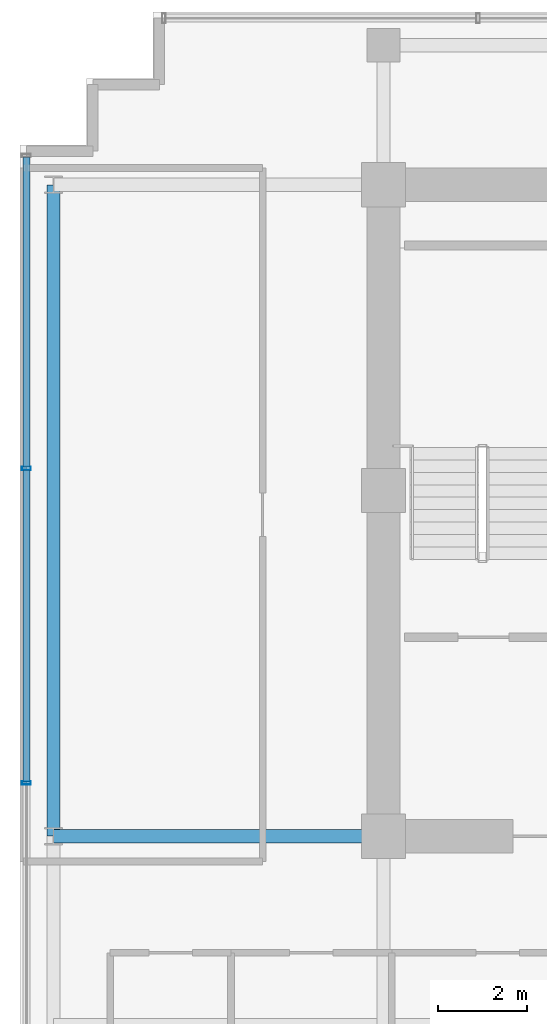
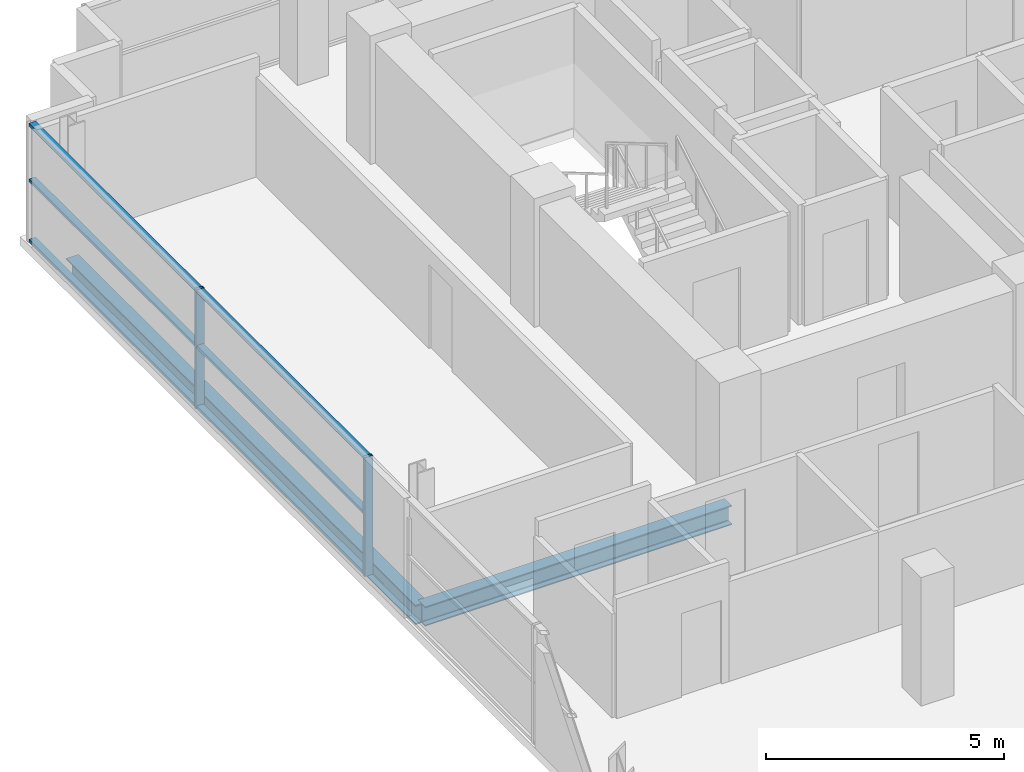
# One storey, part 7 of 21: 8 members, 2 beams, 1 element without a shape of its own.
"""IFC4 building model written with IfcOpenShell, lengths in metres."""

from ifc_helpers import new_model, si_unit, direction, frame, origin, origin_2d, place, context, subcontext, project, spatial, hollow_rectangle, i_section, extrude, source, transform, mapped, material, layer, layer_set, material_profile, profile_set, type_object, element, aggregate, save


model = new_model("IFC4")

# Units and contexts
model_context = context("Model", 3, precision=1e-05, world=origin(), true_north=direction((0.0, 1.0)))
body_context = subcontext(model_context, "Body", "Model", "MODEL_VIEW")
ifc_project = project(units=[si_unit("LENGTHUNIT", "METRE"), si_unit("AREAUNIT", "SQUARE_METRE"), si_unit("VOLUMEUNIT", "CUBIC_METRE"), si_unit("PLANEANGLEUNIT", "RADIAN"), si_unit("MASSUNIT", "GRAM", prefix="KILO")], contexts=[model_context])

# Site, building, storey
site_placement = place(None, origin())
site = spatial("IfcSite", under=ifc_project, at=site_placement, CompositionType="ELEMENT")
building_placement = place(site_placement, origin())
building = spatial("IfcBuilding", under=site, at=building_placement, Name="Zarnakvel Exchange Tower", CompositionType="ELEMENT")
storey_placement = place(building_placement, frame((0.0, 0.0, 182.5)))
storey = spatial("IfcBuildingStorey", under=building, at=storey_placement, Name="L51", CompositionType="ELEMENT", Elevation=182.5)

# Beams
ifc_material_1 = material(Name="Steel S355", Category="steel")
ifc_material_profile_1 = material_profile(ifc_material_1, i_section(OverallWidth=0.300048828125, OverallDepth=0.5, WebThickness=0.014404296875, FlangeThickness=0.028076171875, FilletRadius=0.027099609375, at=origin_2d()))
ifc_profile_set_1 = profile_set([ifc_material_profile_1], Name="Steel S355")
beam_type_1 = type_object("IfcBeamType", Name="G-06", PredefinedType="BEAM", material=ifc_profile_set_1)
beam_1_placement = place(storey_placement, frame((-21.85009765625, -1.199951171875, -0.47509765625), z_axis=(1.0, 0.0, 0.0), x_axis=(0.0, 1.0, 0.0)))
element("IfcBeam", 1, at=beam_1_placement, inside=storey, type_object=beam_type_1, Name="L51 Tower E-W Frame Beam", PredefinedType="BEAM", context=body_context, shape_type="SweptSolid", body=[
    extrude(i_section(OverallWidth=0.300048828125, OverallDepth=0.5, WebThickness=0.014404296875, FlangeThickness=0.028076171875, FilletRadius=0.027099609375, at=origin_2d()), origin(), (0.0, 0.0, 1.0), 7.4501953125),
])
ifc_material_profile_2 = material_profile(ifc_material_1, i_section(OverallWidth=0.300048828125, OverallDepth=0.5, WebThickness=0.014404296875, FlangeThickness=0.028076171875, FilletRadius=0.027099609375, at=origin_2d()))
ifc_profile_set_2 = profile_set([ifc_material_profile_2], Name="Steel S355")
beam_type_2 = type_object("IfcBeamType", Name="SP-02", PredefinedType="SPANDREL", material=ifc_profile_set_2)
beam_2_placement = place(storey_placement, frame((-21.85009765625, -1.199951171875, -0.47509765625), z_axis=(0.0, 1.0, 0.0), x_axis=(-1.0, 0.0, 0.0)))
element("IfcBeam", 2, at=beam_2_placement, inside=storey, type_object=beam_type_2, Name="L51 Tower N-S Frame Beam", PredefinedType="SPANDREL", context=body_context, shape_type="SweptSolid", body=[
    extrude(i_section(OverallWidth=0.300048828125, OverallDepth=0.5, WebThickness=0.014404296875, FlangeThickness=0.028076171875, FilletRadius=0.027099609375, at=origin_2d()), origin(), (0.0, 0.0, 1.0), 14.699951171875),
])

# Curtain wall, members
ifc_material_2 = material(Name="Architectural Bronze Anodised Aluminium", Category="aluminium")
ifc_layer = layer(ifc_material_2, 0.199951171875)
ifc_layer_set = layer_set([ifc_layer], Name="Architectural Bronze Anodised Aluminium")
curtain_wall_type = type_object("IfcCurtainWallType", Name="CW-04", PredefinedType="NOTDEFINED", material=ifc_layer_set)
curtain_wall_placement = place(storey_placement, origin())
curtain_wall = element("IfcCurtainWall", 3, at=curtain_wall_placement, inside=storey, type_object=curtain_wall_type, Name="L51 Curtain Wall CW-L51-W1 (CW-04)", PredefinedType="NOTDEFINED")
ifc_material_profile_3 = material_profile(ifc_material_2, hollow_rectangle(XDim=0.199951171875, YDim=0.074951171875, WallThickness=0.0048828125, at=origin_2d()))
ifc_profile_set_3 = profile_set([ifc_material_profile_3], Name="Architectural Bronze Anodised Aluminium")
member_type_1 = type_object("IfcMemberType", Name="CWM-04", PredefinedType="MULLION", material=ifc_profile_set_3)
shared_shape_1 = source(origin(), body_context, "Body", "SweptSolid", [
    extrude(hollow_rectangle(XDim=0.199951171875, YDim=0.074951171875, WallThickness=0.0048828125, at=origin_2d()), origin(), (0.0, 0.0, 1.0), 3.054931640625),
])
member_1_placement = place(storey_placement, frame((-22.4599609375, 0.0, 0.0), z_axis=(0.0, 0.0, 1.0), x_axis=(-1.0, 0.0, 0.0)))
member_1 = element("IfcMember", 4, at=member_1_placement, type_object=member_type_1, Name="CW-04 mullion 3", PredefinedType="MULLION", context=body_context, shape_type="MappedRepresentation", body=[
    mapped(shared_shape_1, transform((0.0, 0.0, 0.0), x_axis=(1.0, 0.0, 0.0), y_axis=(0.0, 1.0, 0.0), z_axis=(0.0, 0.0, 1.0), scale=1.0)),
])
member_2_placement = place(storey_placement, frame((-22.4599609375, 7.10009765625, 0.0), z_axis=(0.0, 0.0, 1.0), x_axis=(-1.0, 0.0, 0.0)))
member_2 = element("IfcMember", 5, at=member_2_placement, type_object=member_type_1, Name="CW-04 mullion 4", PredefinedType="MULLION", context=body_context, shape_type="MappedRepresentation", body=[
    mapped(shared_shape_1, transform((0.0, 0.0, 0.0), x_axis=(1.0, 0.0, 0.0), y_axis=(0.0, 1.0, 0.0), z_axis=(0.0, 0.0, 1.0), scale=1.0)),
])
ifc_material_profile_4 = material_profile(ifc_material_2, hollow_rectangle(XDim=0.159912109375, YDim=0.074951171875, WallThickness=0.00390625, at=origin_2d()))
ifc_profile_set_4 = profile_set([ifc_material_profile_4], Name="Architectural Bronze Anodised Aluminium")
member_type_2 = type_object("IfcMemberType", Name="CWT-04", PredefinedType="USERDEFINED", material=ifc_profile_set_4)
shared_shape_2 = source(origin(), body_context, "Body", "SweptSolid", [
    extrude(hollow_rectangle(XDim=0.159912109375, YDim=0.074951171875, WallThickness=0.00390625, at=origin_2d()), origin(), (0.0, 0.0, 1.0), 6.987548828125),
])
member_3_placement = place(storey_placement, frame((-22.4599609375, 7.137451171875, 0.03759765625), z_axis=(0.0, 1.0, 0.0), x_axis=(-1.0, 0.0, 0.0)))
member_3 = element("IfcMember", 6, at=member_3_placement, type_object=member_type_2, Name="CW-04 transom 4.1", ObjectType="TRANSOM", PredefinedType="USERDEFINED", context=body_context, shape_type="MappedRepresentation", body=[
    mapped(shared_shape_2, transform((0.0, 0.0, 0.0), x_axis=(1.0, 0.0, 0.0), y_axis=(0.0, 1.0, 0.0), z_axis=(0.0, 0.0, 1.0), scale=1.0)),
])
member_4_placement = place(storey_placement, frame((-22.4599609375, 7.137451171875, 1.588623046875), z_axis=(0.0, 1.0, 0.0), x_axis=(-1.0, 0.0, 0.0)))
member_4 = element("IfcMember", 7, at=member_4_placement, type_object=member_type_2, Name="CW-04 transom 4.2", ObjectType="TRANSOM", PredefinedType="USERDEFINED", context=body_context, shape_type="MappedRepresentation", body=[
    mapped(shared_shape_2, transform((0.0, 0.0, 0.0), x_axis=(1.0, 0.0, 0.0), y_axis=(0.0, 1.0, 0.0), z_axis=(0.0, 0.0, 1.0), scale=1.0)),
])
member_5_placement = place(storey_placement, frame((-22.4599609375, 7.137451171875, 3.017578125), z_axis=(0.0, 1.0, 0.0), x_axis=(-1.0, 0.0, 0.0)))
member_5 = element("IfcMember", 8, at=member_5_placement, type_object=member_type_2, Name="CW-04 transom 4.3", ObjectType="TRANSOM", PredefinedType="USERDEFINED", context=body_context, shape_type="MappedRepresentation", body=[
    mapped(shared_shape_2, transform((0.0, 0.0, 0.0), x_axis=(1.0, 0.0, 0.0), y_axis=(0.0, 1.0, 0.0), z_axis=(0.0, 0.0, 1.0), scale=1.0)),
])
shared_shape_3 = source(origin(), body_context, "Body", "SweptSolid", [
    extrude(hollow_rectangle(XDim=0.159912109375, YDim=0.074951171875, WallThickness=0.00390625, at=origin_2d()), origin(), (0.0, 0.0, 1.0), 7.02490234375),
])
member_6_placement = place(storey_placement, frame((-22.4599609375, 0.03759765625, 0.03759765625), z_axis=(0.0, 1.0, 0.0), x_axis=(-1.0, 0.0, 0.0)))
member_6 = element("IfcMember", 9, at=member_6_placement, type_object=member_type_2, Name="CW-04 transom 3.1", ObjectType="TRANSOM", PredefinedType="USERDEFINED", context=body_context, shape_type="MappedRepresentation", body=[
    mapped(shared_shape_3, transform((0.0, 0.0, 0.0), x_axis=(1.0, 0.0, 0.0), y_axis=(0.0, 1.0, 0.0), z_axis=(0.0, 0.0, 1.0), scale=1.0)),
])
member_7_placement = place(storey_placement, frame((-22.4599609375, 0.03759765625, 1.588623046875), z_axis=(0.0, 1.0, 0.0), x_axis=(-1.0, 0.0, 0.0)))
member_7 = element("IfcMember", 10, at=member_7_placement, type_object=member_type_2, Name="CW-04 transom 3.2", ObjectType="TRANSOM", PredefinedType="USERDEFINED", context=body_context, shape_type="MappedRepresentation", body=[
    mapped(shared_shape_3, transform((0.0, 0.0, 0.0), x_axis=(1.0, 0.0, 0.0), y_axis=(0.0, 1.0, 0.0), z_axis=(0.0, 0.0, 1.0), scale=1.0)),
])
member_8_placement = place(storey_placement, frame((-22.4599609375, 0.03759765625, 3.017578125), z_axis=(0.0, 1.0, 0.0), x_axis=(-1.0, 0.0, 0.0)))
member_8 = element("IfcMember", 11, at=member_8_placement, type_object=member_type_2, Name="CW-04 transom 3.3", ObjectType="TRANSOM", PredefinedType="USERDEFINED", context=body_context, shape_type="MappedRepresentation", body=[
    mapped(shared_shape_3, transform((0.0, 0.0, 0.0), x_axis=(1.0, 0.0, 0.0), y_axis=(0.0, 1.0, 0.0), z_axis=(0.0, 0.0, 1.0), scale=1.0)),
])
aggregate(curtain_wall, [member_1, member_2, member_6, member_7, member_8, member_3, member_4, member_5])

save(model, "model.ifc")
